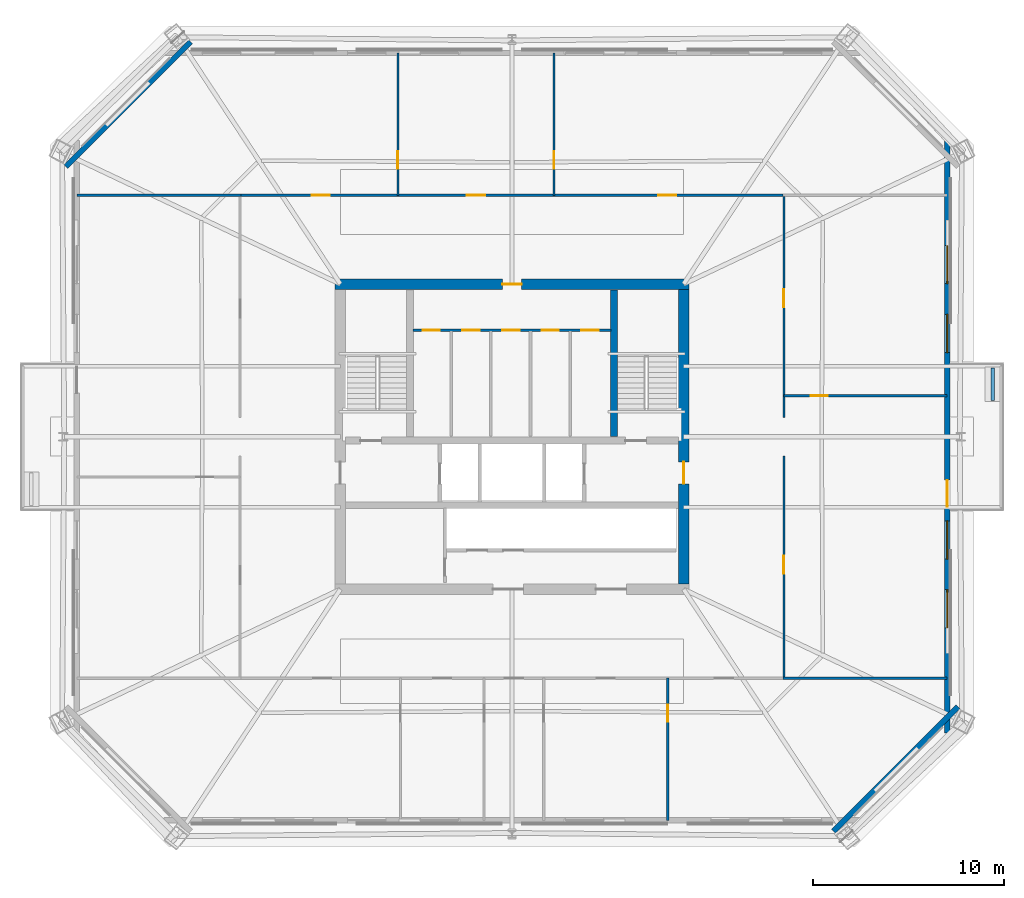
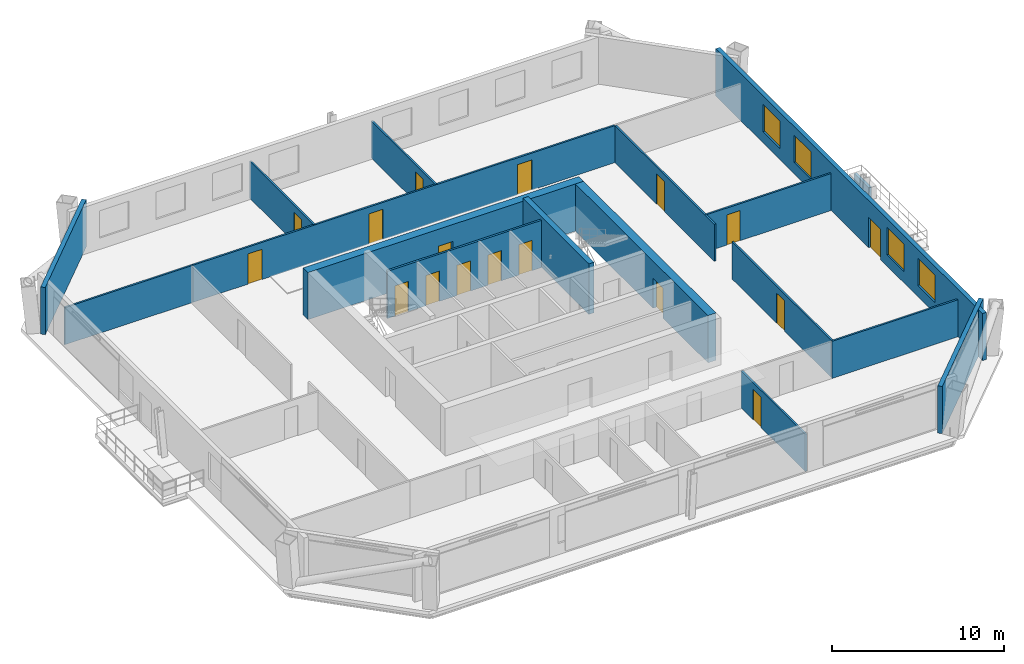
# One storey, part 4 of 8: 17 doors, 17 walls, 4 windows, 21 openings.
"""IFC4 building model written with IfcOpenShell, lengths in metres."""

from ifc_helpers import new_model, si_unit, direction, frame, frame_2d, origin, place, context, subcontext, project, spatial, rectangle, extrude, material, layer, layer_set, type_object, element, fill, save


model = new_model("IFC4")

# Units and contexts
model_context = context("Model", 3, precision=1e-05, world=origin(), true_north=direction((0.0, 1.0)))
body_context = subcontext(model_context, "Body", "Model", "MODEL_VIEW")
ifc_project = project(units=[si_unit("LENGTHUNIT", "METRE"), si_unit("AREAUNIT", "SQUARE_METRE"), si_unit("VOLUMEUNIT", "CUBIC_METRE"), si_unit("PLANEANGLEUNIT", "RADIAN"), si_unit("MASSUNIT", "GRAM", prefix="KILO")], contexts=[model_context])

# Site, building, storey
site_placement = place(None, origin())
site = spatial("IfcSite", under=ifc_project, at=site_placement, CompositionType="ELEMENT")
building_placement = place(site_placement, origin())
building = spatial("IfcBuilding", under=site, at=building_placement, Name="Caelvoria Tower", CompositionType="ELEMENT")
storey_placement = place(building_placement, frame((0.0, 0.0, 145.60009765625)))
storey = spatial("IfcBuildingStorey", under=building, at=storey_placement, Name="L38", CompositionType="ELEMENT", Elevation=145.60009765625)

# Walls
ifc_material_1 = material(Name="Bronze-Clad Concrete C40/50", Category="concrete")
ifc_layer_1 = layer(ifc_material_1, 0.179931640625, Name="Bronze-Clad Concrete C40/50")
ifc_layer_set_1 = layer_set([ifc_layer_1], Name="Architectural Planter Kerb Wall 180 - Bronze-Clad Concrete C40/50")
wall_type_1 = type_object("IfcWallType", Name="Architectural Planter Kerb Wall 180", PredefinedType="PARAPET", material=ifc_layer_set_1)
wall_1_placement = place(storey_placement, frame((71.199951171875, 33.89990234375, 0.0), z_axis=(0.0, 0.0, 1.0), x_axis=(0.0, 1.0, 0.0)))
element("IfcWall", 1, at=wall_1_placement, inside=storey, type_object=wall_type_1, Name="Tree Balcony Planter Kerb PLANTER TB-L38-E", PredefinedType="PARAPET", context=body_context, shape_type="SweptSolid", body=[
    extrude(rectangle(XDim=1.7001953125, YDim=0.179931640625, at=frame_2d((0.85009765625, 0.0))), origin(), (0.0, 0.0, 1.0), 0.8798828125),
])
ifc_material_2 = material(Name="Concrete C50/60", Category="concrete")
ifc_layer_2 = layer(ifc_material_2, 0.35009765625, Name="Concrete C50/60")
ifc_layer_set_2 = layer_set([ifc_layer_2], Name="Core Internal Shear Wall 350 - Concrete C50/60")
wall_type_2 = type_object("IfcWallType", Name="Core Internal Shear Wall 350", PredefinedType="SHEAR", material=ifc_layer_set_2)
wall_2_placement = place(storey_placement, frame((51.35009765625, 32.0, 0.0), z_axis=(0.0, 0.0, 1.0), x_axis=(0.0, 1.0, 0.0)))
element("IfcWall", 2, at=wall_2_placement, inside=storey, type_object=wall_type_2, Name="Interior Partition IW-L38-ST2W", PredefinedType="SHEAR", context=body_context, shape_type="SweptSolid", body=[
    extrude(rectangle(XDim=7.699951171875, YDim=0.35009765625, at=frame_2d((3.85009765625, 0.0))), origin(), (0.0, 0.0, 1.0), 3.599853515625),
])

# Wall, openings, doors
ifc_material_3 = material(Name="Moisture-Resistant Gypsum on Steel Stud", Category="steel")
ifc_layer_3 = layer(ifc_material_3, 0.139892578125, Name="Moisture-Resistant Gypsum on Steel Stud")
ifc_layer_set_3 = layer_set([ifc_layer_3], Name="Core Sanitary Acoustic Partition Wall 140 - Moisture-Resistant Gypsum on Steel Stud")
wall_type_3 = type_object("IfcWallType", Name="Core Sanitary Acoustic Partition Wall 140", PredefinedType="PARTITIONING", material=ifc_layer_set_3)
wall_3_placement = place(storey_placement, frame((40.800048828125, 37.580078125, 0.0), z_axis=(0.0, 0.0, 1.0), x_axis=(1.0, 0.0, 0.0)))
wall_3 = element("IfcWall", 3, at=wall_3_placement, inside=storey, type_object=wall_type_3, Name="Interior Partition IW-L38-C1H", PredefinedType="PARTITIONING", context=body_context, shape_type="SweptSolid", body=[
    extrude(rectangle(XDim=10.39990234375, YDim=0.139892578125, at=frame_2d((5.199951171875, 0.0))), origin(), (0.0, 0.0, 1.0), 3.35986328125),
])
opening_1_placement = place(wall_3_placement, frame((0.52001953125, 0.0, 0.0)))
opening_1 = element("IfcOpeningElement", 4, at=opening_1_placement, cuts=wall_3, Name="Opening ID-06", PredefinedType="OPENING", context=body_context, shape_type="SweptSolid", body=[
    extrude(rectangle(XDim=0.89990234375, YDim=2.14990234375, at=frame_2d((0.449951171875, 1.074951171875))), frame((0.0, 0.079833984375, 0.0), z_axis=(0.0, -1.0, 0.0), x_axis=(1.0, 0.0, 0.0)), (0.0, 0.0, 1.0), 0.159912109375),
])
opening_2_placement = place(wall_3_placement, frame((2.60009765625, 0.0, 0.0)))
opening_2 = element("IfcOpeningElement", 5, at=opening_2_placement, cuts=wall_3, Name="Opening ID-06", PredefinedType="OPENING", context=body_context, shape_type="SweptSolid", body=[
    extrude(rectangle(XDim=0.89990234375, YDim=2.14990234375, at=frame_2d((0.449951171875, 1.074951171875))), frame((0.0, 0.079833984375, 0.0), z_axis=(0.0, -1.0, 0.0), x_axis=(1.0, 0.0, 0.0)), (0.0, 0.0, 1.0), 0.159912109375),
])
opening_3_placement = place(wall_3_placement, frame((4.679931640625, 0.0, 0.0)))
opening_3 = element("IfcOpeningElement", 6, at=opening_3_placement, cuts=wall_3, Name="Opening ID-07", PredefinedType="OPENING", context=body_context, shape_type="SweptSolid", body=[
    extrude(rectangle(XDim=0.919921875, YDim=2.14990234375, at=frame_2d((0.4599609375, 1.074951171875))), frame((0.0, 0.079833984375, 0.0), z_axis=(0.0, -1.0, 0.0), x_axis=(1.0, 0.0, 0.0)), (0.0, 0.0, 1.0), 0.159912109375),
])
opening_4_placement = place(wall_3_placement, frame((6.760009765625, 0.0, 0.0)))
opening_4 = element("IfcOpeningElement", 7, at=opening_4_placement, cuts=wall_3, Name="Opening ID-06", PredefinedType="OPENING", context=body_context, shape_type="SweptSolid", body=[
    extrude(rectangle(XDim=0.89990234375, YDim=2.14990234375, at=frame_2d((0.449951171875, 1.074951171875))), frame((0.0, 0.079833984375, 0.0), z_axis=(0.0, -1.0, 0.0), x_axis=(1.0, 0.0, 0.0)), (0.0, 0.0, 1.0), 0.159912109375),
])
opening_5_placement = place(wall_3_placement, frame((8.840087890625, 0.0, 0.0)))
opening_5 = element("IfcOpeningElement", 8, at=opening_5_placement, cuts=wall_3, Name="Opening ID-06", PredefinedType="OPENING", context=body_context, shape_type="SweptSolid", body=[
    extrude(rectangle(XDim=0.89990234375, YDim=2.14990234375, at=frame_2d((0.449951171875, 1.074951171875))), frame((0.0, 0.079833984375, 0.0), z_axis=(0.0, -1.0, 0.0), x_axis=(1.0, 0.0, 0.0)), (0.0, 0.0, 1.0), 0.159912109375),
])
ifc_material_4 = material(Name="Engineered Andean Oak Accessible Door", Category="wood")
door_type_1 = type_object("IfcDoorType", Name="Accessible WC Door 950x2150", OperationType="NOTDEFINED", PredefinedType="DOOR", material=ifc_material_4)
door_1_placement = place(opening_3_placement, origin())
door_1 = element("IfcDoor", 9, at=door_1_placement, inside=storey, type_object=door_type_1, Name="Interior Door DR-L38-C1-3", OperationType="SINGLE_SWING_LEFT", OverallHeight=2.14990234375, OverallWidth=0.919921875, PredefinedType="DOOR", context=body_context, shape_type="SweptSolid", body=[
    extrude(rectangle(XDim=0.919921875, YDim=2.14990234375, at=frame_2d((0.4599609375, 1.074951171875))), frame((0.0, 0.02490234375, 0.0), z_axis=(0.0, -1.0, 0.0), x_axis=(1.0, 0.0, 0.0)), (0.0, 0.0, 1.0), 0.050048828125),
])
fill(opening_3, door_1)
ifc_material_5 = material(Name="Engineered Andean Oak Veneer Door", Category="wood")
door_type_2 = type_object("IfcDoorType", Name="Interior Timber Door 900x2150", OperationType="NOTDEFINED", PredefinedType="DOOR", material=ifc_material_5)
door_2_placement = place(opening_1_placement, origin())
door_2 = element("IfcDoor", 10, at=door_2_placement, inside=storey, type_object=door_type_2, Name="Interior Door DR-L38-C1-1", OperationType="SINGLE_SWING_LEFT", OverallHeight=2.14990234375, OverallWidth=0.89990234375, PredefinedType="DOOR", context=body_context, shape_type="SweptSolid", body=[
    extrude(rectangle(XDim=0.89990234375, YDim=2.14990234375, at=frame_2d((0.449951171875, 1.074951171875))), frame((0.0, 0.02490234375, 0.0), z_axis=(0.0, -1.0, 0.0), x_axis=(1.0, 0.0, 0.0)), (0.0, 0.0, 1.0), 0.050048828125),
])
fill(opening_1, door_2)
door_3_placement = place(opening_2_placement, origin())
door_3 = element("IfcDoor", 11, at=door_3_placement, inside=storey, type_object=door_type_2, Name="Interior Door DR-L38-C1-2", OperationType="SINGLE_SWING_RIGHT", OverallHeight=2.14990234375, OverallWidth=0.89990234375, PredefinedType="DOOR", context=body_context, shape_type="SweptSolid", body=[
    extrude(rectangle(XDim=0.89990234375, YDim=2.14990234375, at=frame_2d((0.449951171875, 1.074951171875))), frame((0.0, 0.02490234375, 0.0), z_axis=(0.0, -1.0, 0.0), x_axis=(1.0, 0.0, 0.0)), (0.0, 0.0, 1.0), 0.050048828125),
])
fill(opening_2, door_3)
door_4_placement = place(opening_4_placement, origin())
door_4 = element("IfcDoor", 12, at=door_4_placement, inside=storey, type_object=door_type_2, Name="Interior Door DR-L38-C1-4", OperationType="SINGLE_SWING_RIGHT", OverallHeight=2.14990234375, OverallWidth=0.89990234375, PredefinedType="DOOR", context=body_context, shape_type="SweptSolid", body=[
    extrude(rectangle(XDim=0.89990234375, YDim=2.14990234375, at=frame_2d((0.449951171875, 1.074951171875))), frame((0.0, 0.02490234375, 0.0), z_axis=(0.0, -1.0, 0.0), x_axis=(1.0, 0.0, 0.0)), (0.0, 0.0, 1.0), 0.050048828125),
])
fill(opening_4, door_4)
door_5_placement = place(opening_5_placement, origin())
door_5 = element("IfcDoor", 13, at=door_5_placement, inside=storey, type_object=door_type_2, Name="Interior Door DR-L38-C1-5", OperationType="SINGLE_SWING_LEFT", OverallHeight=2.14990234375, OverallWidth=0.89990234375, PredefinedType="DOOR", context=body_context, shape_type="SweptSolid", body=[
    extrude(rectangle(XDim=0.89990234375, YDim=2.14990234375, at=frame_2d((0.449951171875, 1.074951171875))), frame((0.0, 0.02490234375, 0.0), z_axis=(0.0, -1.0, 0.0), x_axis=(1.0, 0.0, 0.0)), (0.0, 0.0, 1.0), 0.050048828125),
])
fill(opening_5, door_5)

# Wall
ifc_material_6 = material(Name="Precast Concrete C40/50 with Bronze Cladding", Category="concrete")
ifc_layer_4 = layer(ifc_material_6, 0.280029296875, Name="Precast Concrete C40/50 with Bronze Cladding")
ifc_layer_set_4 = layer_set([ifc_layer_4], Name="Exterior Precast Concrete C40/50 Bronze-Clad Facade Wall 280 - Precast Concrete C40/50 with Bronze Cladding")
wall_type_4 = type_object("IfcWallType", Name="Exterior Precast Concrete C40/50 Bronze-Clad Facade Wall 280", PredefinedType="STANDARD", material=ifc_layer_set_4)
wall_4_placement = place(storey_placement, frame((62.8544921875, 11.30615234375, 0.0), z_axis=(0.0, 0.0, 1.0), x_axis=(0.707106781187, 0.707106781187, 0.0)))
element("IfcWall", 14, at=wall_4_placement, inside=storey, type_object=wall_type_4, Name="Exterior Facade Wall L38-E1", PredefinedType="STANDARD", context=body_context, shape_type="SweptSolid", body=[
    extrude(rectangle(XDim=9.248046875, YDim=0.280029296875, at=frame_2d((4.6240234375, 0.0))), origin(), (0.0, 0.0, 1.0), 3.35986328125),
])

# Wall, openings, windows, door
wall_5_placement = place(storey_placement, frame((68.820068359375, 16.4599609375, 0.0), z_axis=(0.0, 0.0, 1.0), x_axis=(0.0, 1.0, 0.0)))
wall_5 = element("IfcWall", 15, at=wall_5_placement, inside=storey, type_object=wall_type_4, Name="Exterior Facade Wall L38-E2", PredefinedType="STANDARD", context=body_context, shape_type="SweptSolid", body=[
    extrude(rectangle(XDim=31.080078125, YDim=0.280029296875, at=frame_2d((15.5400390625, 0.0))), origin(), (0.0, 0.0, 1.0), 3.35986328125),
])
opening_6_placement = place(wall_5_placement, frame((11.860107421875, 0.0, 0.0)))
opening_6 = element("IfcOpeningElement", 16, at=opening_6_placement, cuts=wall_5, Name="Opening ED-04", PredefinedType="OPENING", context=body_context, shape_type="SweptSolid", body=[
    extrude(rectangle(XDim=1.39990234375, YDim=2.14990234375, at=frame_2d((0.699951171875, 1.074951171875))), frame((0.0, 0.14990234375, 0.0), z_axis=(0.0, -1.0, 0.0), x_axis=(1.0, 0.0, 0.0)), (0.0, 0.0, 1.0), 0.300048828125),
])
opening_7_placement = place(wall_5_placement, frame((5.514892578125, 0.0, 0.800048828125)))
opening_7 = element("IfcOpeningElement", 17, at=opening_7_placement, cuts=wall_5, Name="Opening WN-01", PredefinedType="OPENING", context=body_context, shape_type="SweptSolid", body=[
    extrude(rectangle(XDim=2.0, YDim=1.949951171875, at=frame_2d((1.0, 0.97509765625))), frame((0.0, 0.14990234375, 0.0), z_axis=(0.0, -1.0, 0.0), x_axis=(1.0, 0.0, 0.0)), (0.0, 0.0, 1.0), 0.300048828125),
])
opening_8_placement = place(wall_5_placement, frame((9.125, 0.0, 0.800048828125)))
opening_8 = element("IfcOpeningElement", 18, at=opening_8_placement, cuts=wall_5, Name="Opening WN-01", PredefinedType="OPENING", context=body_context, shape_type="SweptSolid", body=[
    extrude(rectangle(XDim=2.0, YDim=1.949951171875, at=frame_2d((1.0, 0.97509765625))), frame((0.0, 0.14990234375, 0.0), z_axis=(0.0, -1.0, 0.0), x_axis=(1.0, 0.0, 0.0)), (0.0, 0.0, 1.0), 0.300048828125),
])
opening_9_placement = place(wall_5_placement, frame((19.955078125, 0.0, 0.800048828125)))
opening_9 = element("IfcOpeningElement", 19, at=opening_9_placement, cuts=wall_5, Name="Opening WN-01", PredefinedType="OPENING", context=body_context, shape_type="SweptSolid", body=[
    extrude(rectangle(XDim=2.0, YDim=1.949951171875, at=frame_2d((1.0, 0.97509765625))), frame((0.0, 0.14990234375, 0.0), z_axis=(0.0, -1.0, 0.0), x_axis=(1.0, 0.0, 0.0)), (0.0, 0.0, 1.0), 0.300048828125),
])
opening_10_placement = place(wall_5_placement, frame((23.56494140625, 0.0, 0.800048828125)))
opening_10 = element("IfcOpeningElement", 20, at=opening_10_placement, cuts=wall_5, Name="Opening WN-01", PredefinedType="OPENING", context=body_context, shape_type="SweptSolid", body=[
    extrude(rectangle(XDim=2.0, YDim=1.949951171875, at=frame_2d((1.0, 0.97509765625))), frame((0.0, 0.14990234375, 0.0), z_axis=(0.0, -1.0, 0.0), x_axis=(1.0, 0.0, 0.0)), (0.0, 0.0, 1.0), 0.300048828125),
])
ifc_material_7 = material(Name="Low-E Tinted Glass in Bronze Aluminium Frame", Category="aluminium")
window_type = type_object("IfcWindowType", Name="Tower Office Vision Window 2000x1950", PartitioningType="SINGLE_PANEL", PredefinedType="WINDOW", material=ifc_material_7)
window_1_placement = place(opening_7_placement, origin())
window_1 = element("IfcWindow", 21, at=window_1_placement, inside=storey, type_object=window_type, Name="Facade Window L38-E2-01", OverallHeight=1.949951171875, OverallWidth=2.0, PartitioningType="SINGLE_PANEL", PredefinedType="WINDOW", context=body_context, shape_type="SweptSolid", body=[
    extrude(rectangle(XDim=2.0, YDim=1.949951171875, at=frame_2d((1.0, 0.97509765625))), frame((0.0, 0.030029296875, 0.0), z_axis=(0.0, -1.0, 0.0), x_axis=(1.0, 0.0, 0.0)), (0.0, 0.0, 1.0), 0.06005859375),
])
fill(opening_7, window_1)
window_2_placement = place(opening_8_placement, origin())
window_2 = element("IfcWindow", 22, at=window_2_placement, inside=storey, type_object=window_type, Name="Facade Window L38-E2-02", OverallHeight=1.949951171875, OverallWidth=2.0, PartitioningType="SINGLE_PANEL", PredefinedType="WINDOW", context=body_context, shape_type="SweptSolid", body=[
    extrude(rectangle(XDim=2.0, YDim=1.949951171875, at=frame_2d((1.0, 0.97509765625))), frame((0.0, 0.030029296875, 0.0), z_axis=(0.0, -1.0, 0.0), x_axis=(1.0, 0.0, 0.0)), (0.0, 0.0, 1.0), 0.06005859375),
])
fill(opening_8, window_2)
window_3_placement = place(opening_9_placement, origin())
window_3 = element("IfcWindow", 23, at=window_3_placement, inside=storey, type_object=window_type, Name="Facade Window L38-E2-05", OverallHeight=1.949951171875, OverallWidth=2.0, PartitioningType="SINGLE_PANEL", PredefinedType="WINDOW", context=body_context, shape_type="SweptSolid", body=[
    extrude(rectangle(XDim=2.0, YDim=1.949951171875, at=frame_2d((1.0, 0.97509765625))), frame((0.0, 0.030029296875, 0.0), z_axis=(0.0, -1.0, 0.0), x_axis=(1.0, 0.0, 0.0)), (0.0, 0.0, 1.0), 0.06005859375),
])
fill(opening_9, window_3)
window_4_placement = place(opening_10_placement, origin())
window_4 = element("IfcWindow", 24, at=window_4_placement, inside=storey, type_object=window_type, Name="Facade Window L38-E2-06", OverallHeight=1.949951171875, OverallWidth=2.0, PartitioningType="SINGLE_PANEL", PredefinedType="WINDOW", context=body_context, shape_type="SweptSolid", body=[
    extrude(rectangle(XDim=2.0, YDim=1.949951171875, at=frame_2d((1.0, 0.97509765625))), frame((0.0, 0.030029296875, 0.0), z_axis=(0.0, -1.0, 0.0), x_axis=(1.0, 0.0, 0.0)), (0.0, 0.0, 1.0), 0.06005859375),
])
fill(opening_10, window_4)
ifc_material_8 = material(Name="Anodised Bronze Aluminium and Laminated Glass", Category="aluminium")
door_type_3 = type_object("IfcDoorType", Name="Tree Balcony Glazed Door 1400x2150", OperationType="NOTDEFINED", PredefinedType="DOOR", material=ifc_material_8)
door_6_placement = place(opening_6_placement, origin())
door_6 = element("IfcDoor", 25, at=door_6_placement, inside=storey, type_object=door_type_3, Name="Tree Balcony Door L38-E", OperationType="SINGLE_SWING_LEFT", OverallHeight=2.14990234375, OverallWidth=1.39990234375, PredefinedType="DOOR", context=body_context, shape_type="SweptSolid", body=[
    extrude(rectangle(XDim=1.39990234375, YDim=2.14990234375, at=frame_2d((0.699951171875, 1.074951171875))), frame((0.0, 0.02490234375, 0.0), z_axis=(0.0, -1.0, 0.0), x_axis=(1.0, 0.0, 0.0)), (0.0, 0.0, 1.0), 0.050048828125),
])
fill(opening_6, door_6)

# Wall
wall_6_placement = place(storey_placement, frame((29.1455078125, 52.69384765625, 0.0), z_axis=(0.0, 0.0, 1.0), x_axis=(-0.707106781187, -0.707106781187, 0.0)))
element("IfcWall", 26, at=wall_6_placement, inside=storey, type_object=wall_type_4, Name="Exterior Facade Wall L38-E5", PredefinedType="STANDARD", context=body_context, shape_type="SweptSolid", body=[
    extrude(rectangle(XDim=9.248046875, YDim=0.280029296875, at=frame_2d((4.6240234375, 0.0))), origin(), (0.0, 0.0, 1.0), 3.35986328125),
])

# Wall, opening, door
ifc_material_9 = material(Name="Concrete C55/67", Category="concrete")
ifc_layer_5 = layer(ifc_material_9, 0.550048828125, Name="Concrete C55/67")
ifc_layer_set_5 = layer_set([ifc_layer_5], Name="Mid Core Shear Wall 550 - Concrete C55/67")
wall_type_5 = type_object("IfcWallType", Name="Mid Core Shear Wall 550", PredefinedType="SHEAR", material=ifc_layer_set_5)
wall_7_placement = place(storey_placement, frame((36.72509765625, 40.0, 0.0), z_axis=(0.0, 0.0, 1.0), x_axis=(1.0, 0.0, 0.0)))
wall_7 = element("IfcWall", 27, at=wall_7_placement, inside=storey, type_object=wall_type_5, Name="Core Shear Wall L38 N", PredefinedType="SHEAR", context=body_context, shape_type="SweptSolid", body=[
    extrude(rectangle(XDim=18.5498046875, YDim=0.550048828125, at=frame_2d((9.27490234375, 0.0))), origin(), (0.0, 0.0, 1.0), 3.35986328125),
])
opening_11_placement = place(wall_7_placement, frame((8.77490234375, 0.0, 0.0)))
opening_11 = element("IfcOpeningElement", 28, at=opening_11_placement, cuts=wall_7, Name="Opening ID-03", PredefinedType="OPENING", context=body_context, shape_type="SweptSolid", body=[
    extrude(rectangle(XDim=1.0, YDim=2.14990234375, at=frame_2d((0.5, 1.074951171875))), frame((0.0, 0.284912109375, 0.0), z_axis=(0.0, -1.0, 0.0), x_axis=(1.0, 0.0, 0.0)), (0.0, 0.0, 1.0), 0.570068359375),
])
ifc_material_10 = material(Name="Painted Hollow Steel Fire Door", Category="steel")
door_type_4 = type_object("IfcDoorType", Name="Fire Door FD60S 1000x2150", OperationType="NOTDEFINED", PredefinedType="DOOR", material=ifc_material_10)
door_7_placement = place(opening_11_placement, origin())
door_7 = element("IfcDoor", 29, at=door_7_placement, inside=storey, type_object=door_type_4, Name="Core Door DR-L38-WC-MAIN", OperationType="SINGLE_SWING_RIGHT", OverallHeight=2.14990234375, OverallWidth=1.0, PredefinedType="DOOR", context=body_context, shape_type="SweptSolid", body=[
    extrude(rectangle(XDim=1.0, YDim=2.14990234375, at=frame_2d((0.5, 1.074951171875))), frame((0.0, 0.02490234375, 0.0), z_axis=(0.0, -1.0, 0.0), x_axis=(1.0, 0.0, 0.0)), (0.0, 0.0, 1.0), 0.050048828125),
])
fill(opening_11, door_7)

wall_8_placement = place(storey_placement, frame((55.0, 24.27490234375, 0.0), z_axis=(0.0, 0.0, 1.0), x_axis=(0.0, 1.0, 0.0)))
wall_8 = element("IfcWall", 30, at=wall_8_placement, inside=storey, type_object=wall_type_5, Name="Core Shear Wall L38 E", PredefinedType="SHEAR", context=body_context, shape_type="SweptSolid", body=[
    extrude(rectangle(XDim=15.4501953125, YDim=0.550048828125, at=frame_2d((7.72509765625, 0.0))), origin(), (0.0, 0.0, 1.0), 3.35986328125),
])
opening_12_placement = place(wall_8_placement, frame((5.25, 0.0, 0.0)))
opening_12 = element("IfcOpeningElement", 31, at=opening_12_placement, cuts=wall_8, Name="Opening ID-02", PredefinedType="OPENING", context=body_context, shape_type="SweptSolid", body=[
    extrude(rectangle(XDim=1.14990234375, YDim=2.14990234375, at=frame_2d((0.574951171875, 1.074951171875))), frame((0.0, 0.284912109375, 0.0), z_axis=(0.0, -1.0, 0.0), x_axis=(1.0, 0.0, 0.0)), (0.0, 0.0, 1.0), 0.570068359375),
])
door_type_5 = type_object("IfcDoorType", Name="Fire Door FD60S 1150x2150", OperationType="NOTDEFINED", PredefinedType="DOOR", material=ifc_material_10)
door_8_placement = place(opening_12_placement, origin())
door_8 = element("IfcDoor", 32, at=door_8_placement, inside=storey, type_object=door_type_5, Name="Core Door DR-L38-FFLE-OUT", OperationType="SINGLE_SWING_RIGHT", OverallHeight=2.14990234375, OverallWidth=1.14990234375, PredefinedType="DOOR", context=body_context, shape_type="SweptSolid", body=[
    extrude(rectangle(XDim=1.14990234375, YDim=2.14990234375, at=frame_2d((0.574951171875, 1.074951171875))), frame((0.0, 0.02490234375, 0.0), z_axis=(0.0, -1.0, 0.0), x_axis=(1.0, 0.0, 0.0)), (0.0, 0.0, 1.0), 0.050048828125),
])
fill(opening_12, door_8)

ifc_material_11 = material(Name="Acoustic Gypsum Board on Light-Gauge Stud", Category="gypsum")
ifc_layer_6 = layer(ifc_material_11, 0.1201171875, Name="Acoustic Gypsum Board on Light-Gauge Stud")
ifc_layer_set_6 = layer_set([ifc_layer_6], Name="Tenant Suite Acoustic Partition Wall 120 - Acoustic Gypsum Board on Light-Gauge Stud")
wall_type_6 = type_object("IfcWallType", Name="Tenant Suite Acoustic Partition Wall 120", PredefinedType="PARTITIONING", material=ifc_layer_set_6)
wall_9_placement = place(storey_placement, frame((54.174560546875, 19.340087890625, 0.0), z_axis=(0.0, 0.0, 1.0), x_axis=(0.0, -1.0, 0.0)))
wall_9 = element("IfcWall", 33, at=wall_9_placement, inside=storey, type_object=wall_type_6, Name="Interior Partition IW-L38-SD-03-0", PredefinedType="PARTITIONING", context=body_context, shape_type="SweptSolid", body=[
    extrude(rectangle(XDim=7.460205078125, YDim=0.1201171875, at=frame_2d((3.72998046875, 0.0))), origin(), (0.0, 0.0, 1.0), 2.639892578125),
])
opening_13_placement = place(wall_9_placement, frame((1.39990234375, 0.0, 0.0)))
opening_13 = element("IfcOpeningElement", 34, at=opening_13_placement, cuts=wall_9, Name="Opening ID-06", PredefinedType="OPENING", context=body_context, shape_type="SweptSolid", body=[
    extrude(rectangle(XDim=0.89990234375, YDim=2.14990234375, at=frame_2d((0.449951171875, 1.074951171875))), frame((0.0, 0.070068359375, 0.0), z_axis=(0.0, -1.0, 0.0), x_axis=(1.0, 0.0, 0.0)), (0.0, 0.0, 1.0), 0.14013671875),
])
door_9_placement = place(opening_13_placement, origin())
door_9 = element("IfcDoor", 35, at=door_9_placement, inside=storey, type_object=door_type_2, Name="Interior Door DR-L38-SM-03-0", OperationType="SINGLE_SWING_LEFT", OverallHeight=2.14990234375, OverallWidth=0.89990234375, PredefinedType="DOOR", context=body_context, shape_type="SweptSolid", body=[
    extrude(rectangle(XDim=0.89990234375, YDim=2.14990234375, at=frame_2d((0.449951171875, 1.074951171875))), frame((0.0, 0.02490234375, 0.0), z_axis=(0.0, -1.0, 0.0), x_axis=(1.0, 0.0, 0.0)), (0.0, 0.0, 1.0), 0.050048828125),
])
fill(opening_13, door_9)

wall_10_placement = place(storey_placement, frame((40.019287109375, 44.659912109375, 0.0), z_axis=(0.0, 0.0, 1.0), x_axis=(0.0, 1.0, 0.0)))
wall_10 = element("IfcWall", 36, at=wall_10_placement, inside=storey, type_object=wall_type_6, Name="Interior Partition IW-L38-ND-00-0", PredefinedType="PARTITIONING", context=body_context, shape_type="SweptSolid", body=[
    extrude(rectangle(XDim=7.460205078125, YDim=0.1201171875, at=frame_2d((3.72998046875, 0.0))), origin(), (0.0, 0.0, 1.0), 2.639892578125),
])
opening_14_placement = place(wall_10_placement, frame((1.39990234375, 0.0, 0.0)))
opening_14 = element("IfcOpeningElement", 37, at=opening_14_placement, cuts=wall_10, Name="Opening ID-06", PredefinedType="OPENING", context=body_context, shape_type="SweptSolid", body=[
    extrude(rectangle(XDim=0.89990234375, YDim=2.14990234375, at=frame_2d((0.449951171875, 1.074951171875))), frame((0.0, 0.070068359375, 0.0), z_axis=(0.0, -1.0, 0.0), x_axis=(1.0, 0.0, 0.0)), (0.0, 0.0, 1.0), 0.14013671875),
])
door_10_placement = place(opening_14_placement, origin())
door_10 = element("IfcDoor", 38, at=door_10_placement, inside=storey, type_object=door_type_2, Name="Interior Door DR-L38-NM-00-0", OperationType="SINGLE_SWING_RIGHT", OverallHeight=2.14990234375, OverallWidth=0.89990234375, PredefinedType="DOOR", context=body_context, shape_type="SweptSolid", body=[
    extrude(rectangle(XDim=0.89990234375, YDim=2.14990234375, at=frame_2d((0.449951171875, 1.074951171875))), frame((0.0, 0.02490234375, 0.0), z_axis=(0.0, -1.0, 0.0), x_axis=(1.0, 0.0, 0.0)), (0.0, 0.0, 1.0), 0.050048828125),
])
fill(opening_14, door_10)

wall_11_placement = place(storey_placement, frame((48.202392578125, 44.659912109375, 0.0), z_axis=(0.0, 0.0, 1.0), x_axis=(0.0, 1.0, 0.0)))
wall_11 = element("IfcWall", 39, at=wall_11_placement, inside=storey, type_object=wall_type_6, Name="Interior Partition IW-L38-ND-01-0", PredefinedType="PARTITIONING", context=body_context, shape_type="SweptSolid", body=[
    extrude(rectangle(XDim=7.460205078125, YDim=0.1201171875, at=frame_2d((3.72998046875, 0.0))), origin(), (0.0, 0.0, 1.0), 2.639892578125),
])
opening_15_placement = place(wall_11_placement, frame((1.39990234375, 0.0, 0.0)))
opening_15 = element("IfcOpeningElement", 40, at=opening_15_placement, cuts=wall_11, Name="Opening ID-06", PredefinedType="OPENING", context=body_context, shape_type="SweptSolid", body=[
    extrude(rectangle(XDim=0.89990234375, YDim=2.14990234375, at=frame_2d((0.449951171875, 1.074951171875))), frame((0.0, 0.070068359375, 0.0), z_axis=(0.0, -1.0, 0.0), x_axis=(1.0, 0.0, 0.0)), (0.0, 0.0, 1.0), 0.14013671875),
])
door_11_placement = place(opening_15_placement, origin())
door_11 = element("IfcDoor", 41, at=door_11_placement, inside=storey, type_object=door_type_2, Name="Interior Door DR-L38-NM-01-0", OperationType="SINGLE_SWING_LEFT", OverallHeight=2.14990234375, OverallWidth=0.89990234375, PredefinedType="DOOR", context=body_context, shape_type="SweptSolid", body=[
    extrude(rectangle(XDim=0.89990234375, YDim=2.14990234375, at=frame_2d((0.449951171875, 1.074951171875))), frame((0.0, 0.02490234375, 0.0), z_axis=(0.0, -1.0, 0.0), x_axis=(1.0, 0.0, 0.0)), (0.0, 0.0, 1.0), 0.050048828125),
])
fill(opening_15, door_11)

# Wall, openings, doors
wall_12_placement = place(storey_placement, frame((31.800048828125, 44.659912109375, 0.0), z_axis=(0.0, 0.0, 1.0), x_axis=(1.0, 0.0, 0.0)))
wall_12 = element("IfcWall", 42, at=wall_12_placement, inside=storey, type_object=wall_type_6, Name="Interior Partition IW-L38-NCW-0", PredefinedType="PARTITIONING", context=body_context, shape_type="SweptSolid", body=[
    extrude(rectangle(XDim=28.39990234375, YDim=0.1201171875, at=frame_2d((14.199951171875, 0.0))), origin(), (0.0, 0.0, 1.0), 2.639892578125),
])
opening_16_placement = place(wall_12_placement, frame((3.70458984375, 0.0, 0.0)))
opening_16 = element("IfcOpeningElement", 43, at=opening_16_placement, cuts=wall_12, Name="Opening ID-05", PredefinedType="OPENING", context=body_context, shape_type="SweptSolid", body=[
    extrude(rectangle(XDim=0.949951171875, YDim=2.14990234375, at=frame_2d((0.47509765625, 1.074951171875))), frame((0.0, 0.070068359375, 0.0), z_axis=(0.0, -1.0, 0.0), x_axis=(1.0, 0.0, 0.0)), (0.0, 0.0, 1.0), 0.14013671875),
])
opening_17_placement = place(wall_12_placement, frame((11.8359375, 0.0, 0.0)))
opening_17 = element("IfcOpeningElement", 44, at=opening_17_placement, cuts=wall_12, Name="Opening ID-05", PredefinedType="OPENING", context=body_context, shape_type="SweptSolid", body=[
    extrude(rectangle(XDim=0.949951171875, YDim=2.14990234375, at=frame_2d((0.47509765625, 1.074951171875))), frame((0.0, 0.070068359375, 0.0), z_axis=(0.0, -1.0, 0.0), x_axis=(1.0, 0.0, 0.0)), (0.0, 0.0, 1.0), 0.14013671875),
])
opening_18_placement = place(wall_12_placement, frame((21.856201171875, 0.0, 0.0)))
opening_18 = element("IfcOpeningElement", 45, at=opening_18_placement, cuts=wall_12, Name="Opening ID-05", PredefinedType="OPENING", context=body_context, shape_type="SweptSolid", body=[
    extrude(rectangle(XDim=0.949951171875, YDim=2.14990234375, at=frame_2d((0.47509765625, 1.074951171875))), frame((0.0, 0.070068359375, 0.0), z_axis=(0.0, -1.0, 0.0), x_axis=(1.0, 0.0, 0.0)), (0.0, 0.0, 1.0), 0.14013671875),
])
door_type_6 = type_object("IfcDoorType", Name="Interior Timber Door 950x2150", OperationType="NOTDEFINED", PredefinedType="DOOR", material=ifc_material_5)
door_12_placement = place(opening_16_placement, origin())
door_12 = element("IfcDoor", 46, at=door_12_placement, inside=storey, type_object=door_type_6, Name="Interior Door DR-L38-NC-00-0", OperationType="SINGLE_SWING_LEFT", OverallHeight=2.14990234375, OverallWidth=0.949951171875, PredefinedType="DOOR", context=body_context, shape_type="SweptSolid", body=[
    extrude(rectangle(XDim=0.949951171875, YDim=2.14990234375, at=frame_2d((0.47509765625, 1.074951171875))), frame((0.0, 0.02490234375, 0.0), z_axis=(0.0, -1.0, 0.0), x_axis=(1.0, 0.0, 0.0)), (0.0, 0.0, 1.0), 0.050048828125),
])
fill(opening_16, door_12)
door_13_placement = place(opening_17_placement, origin())
door_13 = element("IfcDoor", 47, at=door_13_placement, inside=storey, type_object=door_type_6, Name="Interior Door DR-L38-NC-01-0", OperationType="SINGLE_SWING_RIGHT", OverallHeight=2.14990234375, OverallWidth=0.949951171875, PredefinedType="DOOR", context=body_context, shape_type="SweptSolid", body=[
    extrude(rectangle(XDim=0.949951171875, YDim=2.14990234375, at=frame_2d((0.47509765625, 1.074951171875))), frame((0.0, 0.02490234375, 0.0), z_axis=(0.0, -1.0, 0.0), x_axis=(1.0, 0.0, 0.0)), (0.0, 0.0, 1.0), 0.050048828125),
])
fill(opening_17, door_13)
door_14_placement = place(opening_18_placement, origin())
door_14 = element("IfcDoor", 48, at=door_14_placement, inside=storey, type_object=door_type_6, Name="Interior Door DR-L38-NC-02-0", OperationType="SINGLE_SWING_LEFT", OverallHeight=2.14990234375, OverallWidth=0.949951171875, PredefinedType="DOOR", context=body_context, shape_type="SweptSolid", body=[
    extrude(rectangle(XDim=0.949951171875, YDim=2.14990234375, at=frame_2d((0.47509765625, 1.074951171875))), frame((0.0, 0.02490234375, 0.0), z_axis=(0.0, -1.0, 0.0), x_axis=(1.0, 0.0, 0.0)), (0.0, 0.0, 1.0), 0.050048828125),
])
fill(opening_18, door_14)

# Wall, opening, door
wall_13_placement = place(storey_placement, frame((60.260009765625, 34.14111328125, 0.0), z_axis=(0.0, 0.0, 1.0), x_axis=(1.0, 0.0, 0.0)))
wall_13 = element("IfcWall", 49, at=wall_13_placement, inside=storey, type_object=wall_type_6, Name="Interior Partition IW-L38-ED-00-0", PredefinedType="PARTITIONING", context=body_context, shape_type="SweptSolid", body=[
    extrude(rectangle(XDim=8.56005859375, YDim=0.1201171875, at=frame_2d((4.280029296875, 0.0))), origin(), (0.0, 0.0, 1.0), 2.639892578125),
])
opening_19_placement = place(wall_13_placement, frame((1.39990234375, 0.0, 0.0)))
opening_19 = element("IfcOpeningElement", 50, at=opening_19_placement, cuts=wall_13, Name="Opening ID-06", PredefinedType="OPENING", context=body_context, shape_type="SweptSolid", body=[
    extrude(rectangle(XDim=0.89990234375, YDim=2.14990234375, at=frame_2d((0.449951171875, 1.074951171875))), frame((0.0, 0.070068359375, 0.0), z_axis=(0.0, -1.0, 0.0), x_axis=(1.0, 0.0, 0.0)), (0.0, 0.0, 1.0), 0.14013671875),
])
door_15_placement = place(opening_19_placement, origin())
door_15 = element("IfcDoor", 51, at=door_15_placement, inside=storey, type_object=door_type_2, Name="Interior Door DR-L38-EM-00-0", OperationType="SINGLE_SWING_RIGHT", OverallHeight=2.14990234375, OverallWidth=0.89990234375, PredefinedType="DOOR", context=body_context, shape_type="SweptSolid", body=[
    extrude(rectangle(XDim=0.89990234375, YDim=2.14990234375, at=frame_2d((0.449951171875, 1.074951171875))), frame((0.0, 0.02490234375, 0.0), z_axis=(0.0, -1.0, 0.0), x_axis=(1.0, 0.0, 0.0)), (0.0, 0.0, 1.0), 0.050048828125),
])
fill(opening_19, door_15)

wall_14_placement = place(storey_placement, frame((60.260009765625, 19.39990234375, 0.0), z_axis=(0.0, 0.0, 1.0), x_axis=(0.0, 1.0, 0.0)))
wall_14 = element("IfcWall", 52, at=wall_14_placement, inside=storey, type_object=wall_type_6, Name="Interior Partition IW-L38-ECW-0", PredefinedType="PARTITIONING", context=body_context, shape_type="SweptSolid", body=[
    extrude(rectangle(XDim=11.580078125, YDim=0.1201171875, at=frame_2d((5.7900390625, 0.0))), origin(), (0.0, 0.0, 1.0), 2.639892578125),
])
opening_20_placement = place(wall_14_placement, frame((5.4150390625, 0.0, 0.0)))
opening_20 = element("IfcOpeningElement", 53, at=opening_20_placement, cuts=wall_14, Name="Opening ID-05", PredefinedType="OPENING", context=body_context, shape_type="SweptSolid", body=[
    extrude(rectangle(XDim=0.949951171875, YDim=2.14990234375, at=frame_2d((0.47509765625, 1.074951171875))), frame((0.0, 0.070068359375, 0.0), z_axis=(0.0, -1.0, 0.0), x_axis=(1.0, 0.0, 0.0)), (0.0, 0.0, 1.0), 0.14013671875),
])
door_16_placement = place(opening_20_placement, origin())
door_16 = element("IfcDoor", 54, at=door_16_placement, inside=storey, type_object=door_type_6, Name="Interior Door DR-L38-EC-00-0", OperationType="SINGLE_SWING_LEFT", OverallHeight=2.14990234375, OverallWidth=0.949951171875, PredefinedType="DOOR", context=body_context, shape_type="SweptSolid", body=[
    extrude(rectangle(XDim=0.949951171875, YDim=2.14990234375, at=frame_2d((0.47509765625, 1.074951171875))), frame((0.0, 0.02490234375, 0.0), z_axis=(0.0, -1.0, 0.0), x_axis=(1.0, 0.0, 0.0)), (0.0, 0.0, 1.0), 0.050048828125),
])
fill(opening_20, door_16)

wall_15_placement = place(storey_placement, frame((60.260009765625, 33.02001953125, 0.0), z_axis=(0.0, 0.0, 1.0), x_axis=(0.0, 1.0, 0.0)))
wall_15 = element("IfcWall", 55, at=wall_15_placement, inside=storey, type_object=wall_type_6, Name="Interior Partition IW-L38-ECW-1", PredefinedType="PARTITIONING", context=body_context, shape_type="SweptSolid", body=[
    extrude(rectangle(XDim=11.580078125, YDim=0.1201171875, at=frame_2d((5.7900390625, 0.0))), origin(), (0.0, 0.0, 1.0), 2.639892578125),
])
opening_21_placement = place(wall_15_placement, frame((5.775390625, 0.0, 0.0)))
opening_21 = element("IfcOpeningElement", 56, at=opening_21_placement, cuts=wall_15, Name="Opening ID-05", PredefinedType="OPENING", context=body_context, shape_type="SweptSolid", body=[
    extrude(rectangle(XDim=0.949951171875, YDim=2.14990234375, at=frame_2d((0.47509765625, 1.074951171875))), frame((0.0, 0.070068359375, 0.0), z_axis=(0.0, -1.0, 0.0), x_axis=(1.0, 0.0, 0.0)), (0.0, 0.0, 1.0), 0.14013671875),
])
door_17_placement = place(opening_21_placement, origin())
door_17 = element("IfcDoor", 57, at=door_17_placement, inside=storey, type_object=door_type_6, Name="Interior Door DR-L38-EC-01-0", OperationType="SINGLE_SWING_RIGHT", OverallHeight=2.14990234375, OverallWidth=0.949951171875, PredefinedType="DOOR", context=body_context, shape_type="SweptSolid", body=[
    extrude(rectangle(XDim=0.949951171875, YDim=2.14990234375, at=frame_2d((0.47509765625, 1.074951171875))), frame((0.0, 0.02490234375, 0.0), z_axis=(0.0, -1.0, 0.0), x_axis=(1.0, 0.0, 0.0)), (0.0, 0.0, 1.0), 0.050048828125),
])
fill(opening_21, door_17)

# Walls
for number, where, z_axis, x_axis, name in (
    (58, (60.199951171875, 19.340087890625, 0.0), (0.0, 0.0, 1.0), (1.0, 0.0, 0.0), "Interior Partition IW-L38-BSE-0"),
    (59, (31.800048828125, 44.659912109375, 0.0), (0.0, 0.0, 1.0), (-1.0, 0.0, 0.0), "Interior Partition IW-L38-BNW-0"),
):
    element("IfcWall", number, at=place(storey_placement, frame(where, z_axis=z_axis, x_axis=x_axis)), inside=storey, type_object=wall_type_6, Name=name, PredefinedType="PARTITIONING", context=body_context, shape_type="SweptSolid", body=[
        extrude(rectangle(XDim=8.6201171875, YDim=0.1201171875, at=frame_2d((4.31005859375, 0.0))), origin(), (0.0, 0.0, 1.0), 2.639892578125),
    ])

save(model, "model.ifc")
